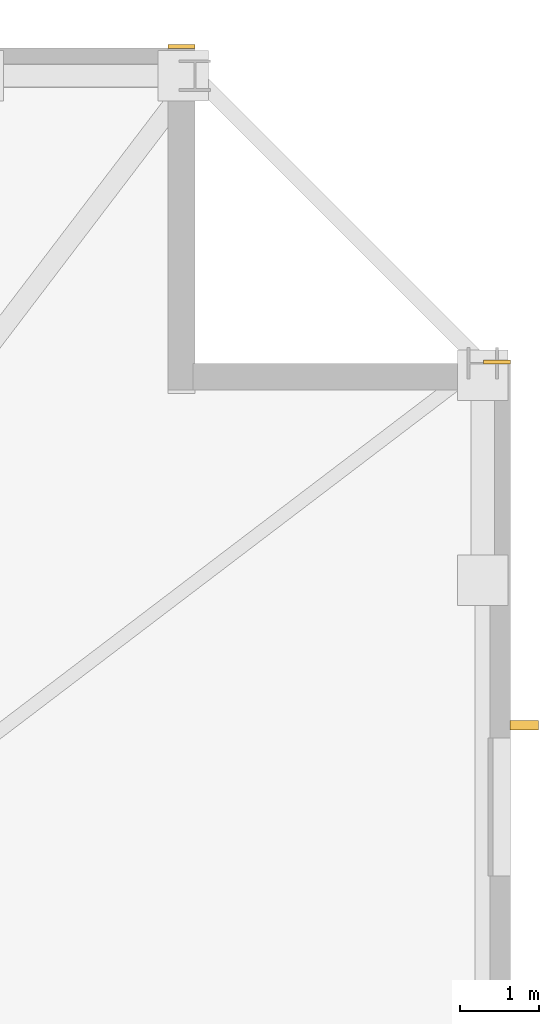
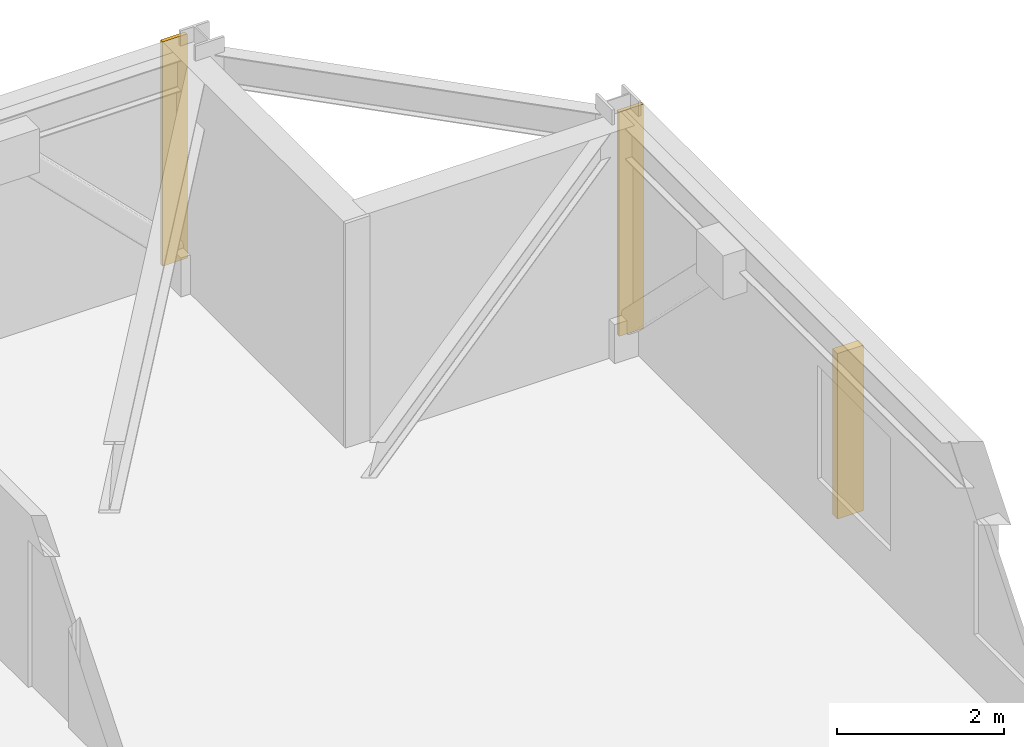
# One storey, part 11 of 11: 2 coverings, 1 shading device.
"""IFC4 building model written with IfcOpenShell, lengths in metres."""

from ifc_helpers import new_model, si_unit, direction, frame, frame_2d, origin, origin_2d, place, context, subcontext, project, spatial, rectangle, extrude, material, layer, layer_set, type_object, element, save


model = new_model("IFC4")

# Units and contexts
model_context = context("Model", 3, precision=1e-05, world=origin(), true_north=direction((0.0, 1.0)))
body_context = subcontext(model_context, "Body", "Model", "MODEL_VIEW")
ifc_project = project(units=[si_unit("LENGTHUNIT", "METRE"), si_unit("AREAUNIT", "SQUARE_METRE"), si_unit("VOLUMEUNIT", "CUBIC_METRE"), si_unit("PLANEANGLEUNIT", "RADIAN"), si_unit("MASSUNIT", "GRAM", prefix="KILO")], contexts=[model_context])

# Site, building, storey
site_placement = place(None, origin())
site = spatial("IfcSite", under=ifc_project, at=site_placement, CompositionType="ELEMENT")
building_placement = place(site_placement, origin())
building = spatial("IfcBuilding", under=site, at=building_placement, Name="Cairnveth Concourse Tower", CompositionType="ELEMENT")
storey_placement = place(building_placement, frame((0.0, 0.0, 151.5)))
storey = spatial("IfcBuildingStorey", under=building, at=storey_placement, Name="L41", CompositionType="ELEMENT", Elevation=151.5)

# Coverings
ifc_material_1 = material(Name="Dressed Melbourne Bluestone Cladding", Category="masonry")
ifc_layer = layer(ifc_material_1, 0.050048828125)
ifc_layer_set = layer_set([ifc_layer], Name="Dressed Melbourne Bluestone Cladding")
covering_type = type_object("IfcCoveringType", Name="DRESSED BLUESTONE PLINTH CLADDING 50", PredefinedType="CLADDING", material=ifc_layer_set)
for number, where, z_axis, x_axis, name in (
    (1, (71.659912109375, 63.02001953125, 0.0), (0.0, 0.0, 1.0), (1.0, 0.0, 0.0), "Melbourne Bluestone Corner Quoin L41-602"),
    (2, (75.659912109375, 59.02001953125, 0.0), (0.0, 0.0, 1.0), (1.0, 0.0, 0.0), "Melbourne Bluestone Corner Quoin L41-604"),
):
    element("IfcCovering", number, at=place(storey_placement, frame(where, z_axis=z_axis, x_axis=x_axis)), inside=storey, type_object=covering_type, Name=name, PredefinedType="CLADDING", context=body_context, shape_type="SweptSolid", body=[
        extrude(rectangle(XDim=0.340087890625, YDim=0.050048828125, at=frame_2d((0.169921875, 0.0))), origin(), (0.0, 0.0, 1.0), 3.280029296875),
    ])

# Shading device
ifc_material_2 = material(Name="Architectural Bronze Anodised Aluminium 6063-T6", Category="aluminium")
shading_device_type = type_object("IfcShadingDeviceType", Name="GOTHIC BRONZE VERTICAL LANCET FIN", PredefinedType="USERDEFINED", material=ifc_material_2)
shading_device_placement = place(storey_placement, frame((76.175048828125, 54.408203125, 0.030029296875), z_axis=(0.0, 0.0, 1.0), x_axis=(0.0, 1.0, 0.0)))
element("IfcShadingDevice", 3, at=shading_device_placement, inside=storey, type_object=shading_device_type, Name="Gothic Bronze Vertical Fin L41-9-1", ObjectType="VERTICAL FIN", PredefinedType="USERDEFINED", context=body_context, shape_type="SweptSolid", body=[
    extrude(rectangle(XDim=0.1201171875, YDim=0.360107421875, at=origin_2d()), origin(), (0.0, 0.0, 1.0), 2.419921875),
])

save(model, "model.ifc")
